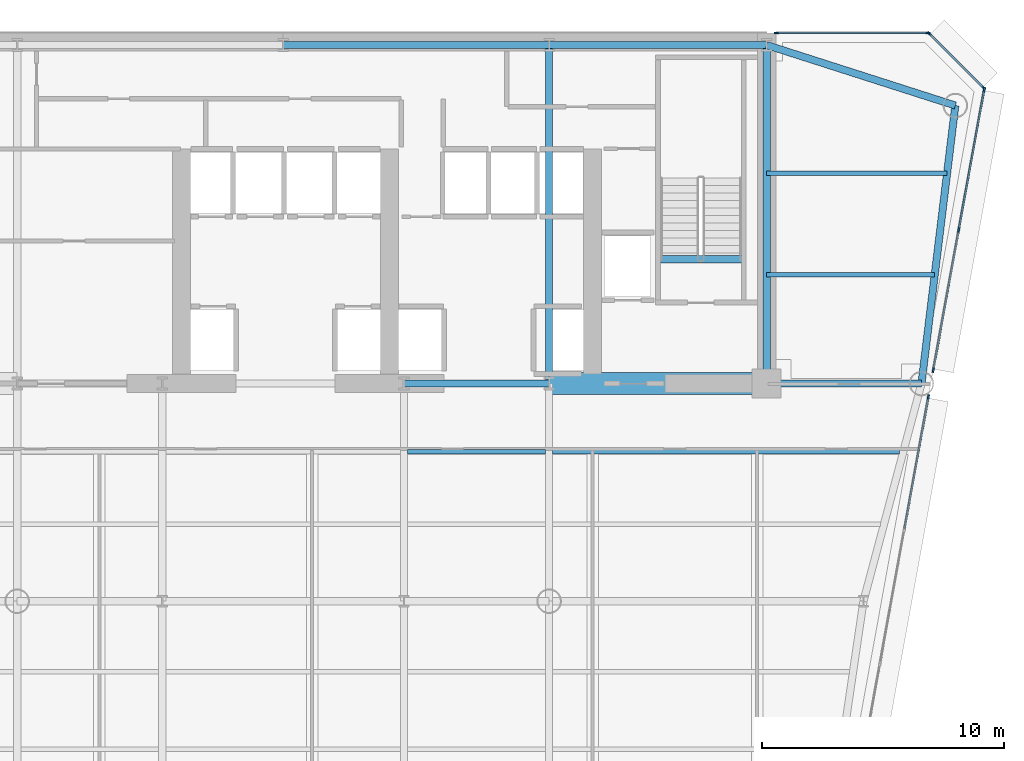
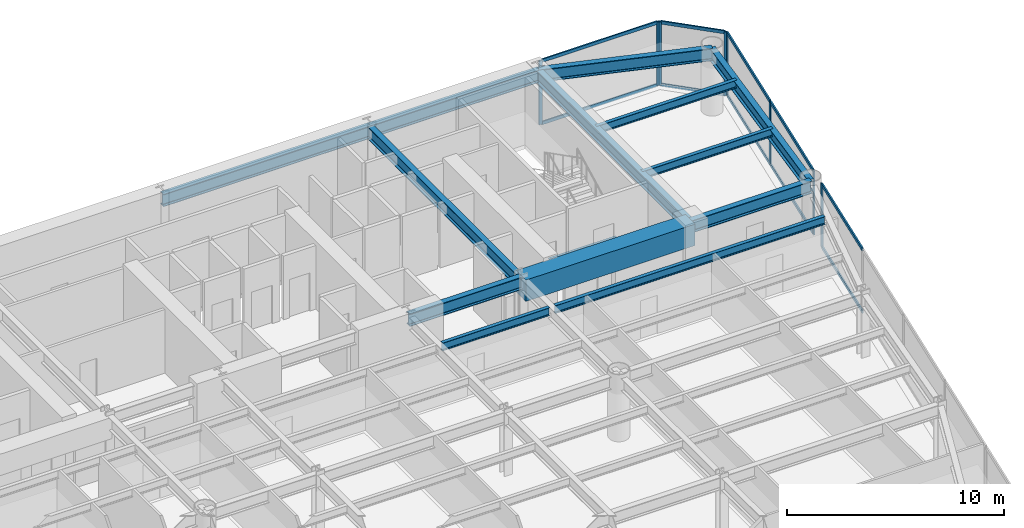
# One storey, part 6 of 14: 18 members, 14 beams, 4 elements without a shape of their own.
"""IFC4 building model written with IfcOpenShell, lengths in metres."""

from ifc_helpers import new_model, si_unit, direction, frame, origin, origin_2d, place, context, subcontext, project, spatial, rectangle, i_section, extrude, source, transform, mapped, material, layer, layer_set, material_profile, profile_set, type_object, element, aggregate, save


model = new_model("IFC4")

# Units and contexts
model_context = context("Model", 3, precision=1e-05, world=origin(), true_north=direction((0.0, 1.0)))
body_context = subcontext(model_context, "Body", "Model", "MODEL_VIEW")
ifc_project = project(units=[si_unit("LENGTHUNIT", "METRE"), si_unit("AREAUNIT", "SQUARE_METRE"), si_unit("VOLUMEUNIT", "CUBIC_METRE"), si_unit("PLANEANGLEUNIT", "RADIAN"), si_unit("MASSUNIT", "GRAM", prefix="KILO")], contexts=[model_context])

# Site, building, storey
site_placement = place(None, origin())
site = spatial("IfcSite", under=ifc_project, at=site_placement, CompositionType="ELEMENT")
building_placement = place(site_placement, origin())
building = spatial("IfcBuilding", under=site, at=building_placement, Name="Vaeldorn Concourse Tower", CompositionType="ELEMENT")
storey_placement = place(building_placement, frame((0.0, 0.0, 137.60009765625)))
storey = spatial("IfcBuildingStorey", under=building, at=storey_placement, Name="L35", CompositionType="ELEMENT", Elevation=137.60009765625)

# Beams
ifc_material_1 = material(Name="Concrete C60/75", Category="concrete")
ifc_material_profile_1 = material_profile(ifc_material_1, rectangle(XDim=0.89990234375, YDim=1.199951171875, at=origin_2d()), Name="RC 900x1200")
ifc_profile_set_1 = profile_set([ifc_material_profile_1], Name="Concrete C60/75")
beam_type_1 = type_object("IfcBeamType", Name="BM-CB-RC900", PredefinedType="BEAM", material=ifc_profile_set_1)
shared_shape_1 = source(origin(), body_context, "Body", "SweptSolid", [
    extrude(rectangle(XDim=0.89990234375, YDim=1.199951171875, at=origin_2d()), origin(), (0.0, 0.0, 1.0), 9.0),
])
beam_1_placement = place(storey_placement, frame((45.0, 36.5, 2.97998046875), z_axis=(1.0, 0.0, 0.0), x_axis=(0.0, 1.0, 0.0)))
element("IfcBeam", 1, at=beam_1_placement, inside=storey, type_object=beam_type_1, Name="Core Coupling Beam L35-2", PredefinedType="BEAM", context=body_context, shape_type="MappedRepresentation", body=[
    mapped(shared_shape_1, transform((0.0, 0.0, 0.0), scale=1.0)),
])
ifc_material_2 = material(Name="Steel S355", Category="steel")
ifc_material_profile_2 = material_profile(ifc_material_2, i_section(OverallWidth=0.300048828125, OverallDepth=0.340087890625, WebThickness=0.011962890625, FlangeThickness=0.021484375, FilletRadius=0.027099609375, at=origin_2d()), Name="HEB 340")
ifc_profile_set_2 = profile_set([ifc_material_profile_2], Name="Steel S355")
beam_type_2 = type_object("IfcBeamType", Name="BM-ST-TRIM", PredefinedType="BEAM", material=ifc_profile_set_2)
shared_shape_2 = source(origin(), body_context, "Body", "SweptSolid", [
    extrude(i_section(OverallWidth=0.300048828125, OverallDepth=0.340087890625, WebThickness=0.011962890625, FlangeThickness=0.021484375, FilletRadius=0.027099609375, at=origin_2d()), origin(), (0.0, 0.0, 1.0), 3.590087890625),
])
beam_2_placement = place(storey_placement, frame((49.47998046875, 41.639892578125, -0.39013671875), z_axis=(1.0, 0.0, 0.0), x_axis=(0.0, 1.0, 0.0)))
element("IfcBeam", 2, at=beam_2_placement, inside=storey, type_object=beam_type_2, Name="Stair Landing Trimmer Beam ST-2 L35", PredefinedType="BEAM", context=body_context, shape_type="MappedRepresentation", body=[
    mapped(shared_shape_2, transform((0.0, 0.0, 0.0), scale=1.0)),
])
ifc_material_profile_3 = material_profile(ifc_material_2, i_section(OverallWidth=0.300048828125, OverallDepth=0.699951171875, WebThickness=0.01708984375, FlangeThickness=0.031982421875, FilletRadius=0.027099609375, at=origin_2d()), Name="HEB 700")
ifc_profile_set_3 = profile_set([ifc_material_profile_3], Name="Steel S355")
beam_type_3 = type_object("IfcBeamType", Name="BM-PG-HEB700", PredefinedType="BEAM", material=ifc_profile_set_3)
shared_shape_3 = source(origin(), body_context, "Body", "SweptSolid", [
    extrude(i_section(OverallWidth=0.300048828125, OverallDepth=0.699951171875, WebThickness=0.01708984375, FlangeThickness=0.031982421875, FilletRadius=0.027099609375, at=origin_2d()), origin(), (0.0, 0.0, 1.0), 6.0),
])
beam_3_placement = place(storey_placement, frame((39.0, 36.5, 3.22998046875), z_axis=(1.0, 0.0, 0.0), x_axis=(0.0, 1.0, 0.0)))
element("IfcBeam", 3, at=beam_3_placement, inside=storey, type_object=beam_type_3, Name="Beam BM-L35-C-FC4-C-FC5", PredefinedType="BEAM", context=body_context, shape_type="MappedRepresentation", body=[
    mapped(shared_shape_3, transform((0.0, 0.0, 0.0), scale=1.0)),
])
shared_shape_4 = source(origin(), body_context, "Body", "SweptSolid", [
    extrude(i_section(OverallWidth=0.300048828125, OverallDepth=0.699951171875, WebThickness=0.01708984375, FlangeThickness=0.031982421875, FilletRadius=0.027099609375, at=origin_2d()), origin(), (0.0, 0.0, 1.0), 9.0),
])
beam_4_placement = place(storey_placement, frame((45.0, 50.5, 3.22998046875), z_axis=(1.0, 0.0, 0.0), x_axis=(0.0, 1.0, 0.0)))
element("IfcBeam", 4, at=beam_4_placement, inside=storey, type_object=beam_type_3, Name="Beam BM-L35-C-HC4-C-HC5", PredefinedType="BEAM", context=body_context, shape_type="MappedRepresentation", body=[
    mapped(shared_shape_4, transform((0.0, 0.0, 0.0), scale=1.0)),
])
shared_shape_5 = source(origin(), body_context, "Body", "SweptSolid", [
    extrude(i_section(OverallWidth=0.300048828125, OverallDepth=0.699951171875, WebThickness=0.01708984375, FlangeThickness=0.031982421875, FilletRadius=0.027099609375, at=origin_2d()), origin(), (0.0, 0.0, 1.0), 11.0),
])
beam_5_placement = place(storey_placement, frame((34.0, 50.5, 3.22998046875), z_axis=(1.0, 0.0, 0.0), x_axis=(0.0, 1.0, 0.0)))
element("IfcBeam", 5, at=beam_5_placement, inside=storey, type_object=beam_type_3, Name="Beam BM-L35-C-HC3-C-HC4", PredefinedType="BEAM", context=body_context, shape_type="MappedRepresentation", body=[
    mapped(shared_shape_5, transform((0.0, 0.0, 0.0), scale=1.0)),
])
shared_shape_6 = source(origin(), body_context, "Body", "SweptSolid", [
    extrude(i_section(OverallWidth=0.300048828125, OverallDepth=0.699951171875, WebThickness=0.01708984375, FlangeThickness=0.031982421875, FilletRadius=0.027099609375, at=origin_2d()), origin(), (0.0, 0.0, 1.0), 14.0),
])
for number, where, z_axis, x_axis, name in (
    (6, (45.0, 36.5, 3.22998046875), (0.0, 1.0, 0.0), (-1.0, 0.0, 0.0), "Beam BM-L35-C-FC5-C-HC4"),
    (7, (54.0, 36.5, 3.22998046875), (0.0, 1.0, 0.0), (-1.0, 0.0, 0.0), "Beam BM-L35-C-FC6-C-HC5"),
):
    element("IfcBeam", number, at=place(storey_placement, frame(where, z_axis=z_axis, x_axis=x_axis)), inside=storey, type_object=beam_type_3, Name=name, PredefinedType="BEAM", context=body_context, shape_type="MappedRepresentation", body=[
        mapped(shared_shape_6, transform((0.0, 0.0, 0.0), scale=1.0)),
    ])
shared_shape_7 = source(origin(), body_context, "Body", "SweptSolid", [
    extrude(i_section(OverallWidth=0.300048828125, OverallDepth=0.699951171875, WebThickness=0.01708984375, FlangeThickness=0.031982421875, FilletRadius=0.027099609375, at=origin_2d()), origin(), (0.0, 0.0, 1.0), 8.19091796875),
])
beam_6_placement = place(storey_placement, frame((54.0, 50.5, 3.22998046875), z_axis=(0.952282843383, -0.305216949396, 0.0), x_axis=(0.305216949396, 0.952282843383, 0.0)))
element("IfcBeam", 8, at=beam_6_placement, inside=storey, type_object=beam_type_3, Name="Beam BM-L35-C-HC5-C-NE1", PredefinedType="BEAM", context=body_context, shape_type="MappedRepresentation", body=[
    mapped(shared_shape_7, transform((0.0, 0.0, 0.0), scale=1.0)),
])
shared_shape_8 = source(origin(), body_context, "Body", "SweptSolid", [
    extrude(i_section(OverallWidth=0.300048828125, OverallDepth=0.699951171875, WebThickness=0.01708984375, FlangeThickness=0.031982421875, FilletRadius=0.027099609375, at=origin_2d()), origin(), (0.0, 0.0, 1.0), 11.5849609375),
])
beam_7_placement = place(storey_placement, frame((61.800048828125, 48.0, 3.22998046875), z_axis=(-0.120859382899, -0.992669637677, 0.0), x_axis=(0.992669637677, -0.120859382899, 0.0)))
element("IfcBeam", 9, at=beam_7_placement, inside=storey, type_object=beam_type_3, Name="Beam BM-L35-C-NE1-C-NE2", PredefinedType="BEAM", context=body_context, shape_type="MappedRepresentation", body=[
    mapped(shared_shape_8, transform((0.0, 0.0, 0.0), scale=1.0)),
])
shared_shape_9 = source(origin(), body_context, "Body", "SweptSolid", [
    extrude(i_section(OverallWidth=0.300048828125, OverallDepth=0.699951171875, WebThickness=0.01708984375, FlangeThickness=0.031982421875, FilletRadius=0.027099609375, at=origin_2d()), origin(), (0.0, 0.0, 1.0), 6.39990234375),
])
beam_8_placement = place(storey_placement, frame((54.0, 36.5, 3.22998046875), z_axis=(1.0, 0.0, 0.0), x_axis=(0.0, 1.0, 0.0)))
element("IfcBeam", 10, at=beam_8_placement, inside=storey, type_object=beam_type_3, Name="Beam BM-L35-C-FC6-C-NE2", PredefinedType="BEAM", context=body_context, shape_type="MappedRepresentation", body=[
    mapped(shared_shape_9, transform((0.0, 0.0, 0.0), scale=1.0)),
])
ifc_material_profile_4 = material_profile(ifc_material_2, i_section(OverallWidth=0.18994140625, OverallDepth=0.449951171875, WebThickness=0.009521484375, FlangeThickness=0.0146484375, FilletRadius=0.02099609375, at=origin_2d()), Name="IPE 450")
ifc_profile_set_4 = profile_set([ifc_material_profile_4], Name="Steel S355")
beam_type_4 = type_object("IfcBeamType", Name="BM-JS-IPE450", PredefinedType="JOIST", material=ifc_profile_set_4)
shared_shape_10 = source(origin(), body_context, "Body", "SweptSolid", [
    extrude(i_section(OverallWidth=0.18994140625, OverallDepth=0.449951171875, WebThickness=0.009521484375, FlangeThickness=0.0146484375, FilletRadius=0.02099609375, at=origin_2d()), origin(), (0.0, 0.0, 1.0), 5.7001953125),
])
beam_9_placement = place(storey_placement, frame((39.14990234375, 33.679931640625, 3.35498046875), z_axis=(1.0, 0.0, 0.0), x_axis=(0.0, 1.0, 0.0)))
element("IfcBeam", 11, at=beam_9_placement, inside=storey, type_object=beam_type_4, Name="Beam JS-L35-E2-336", PredefinedType="JOIST", context=body_context, shape_type="MappedRepresentation", body=[
    mapped(shared_shape_10, transform((0.0, 0.0, 0.0), scale=1.0)),
])
shared_shape_11 = source(origin(), body_context, "Body", "SweptSolid", [
    extrude(i_section(OverallWidth=0.18994140625, OverallDepth=0.449951171875, WebThickness=0.009521484375, FlangeThickness=0.0146484375, FilletRadius=0.02099609375, at=origin_2d()), origin(), (0.0, 0.0, 1.0), 6.94775390625),
])
beam_10_placement = place(storey_placement, frame((54.0, 41.0, 3.35498046875), z_axis=(1.0, 0.0, 0.0), x_axis=(0.0, 1.0, 0.0)))
element("IfcBeam", 12, at=beam_10_placement, inside=storey, type_object=beam_type_4, Name="Beam JS-L35-NE-410", PredefinedType="JOIST", context=body_context, shape_type="MappedRepresentation", body=[
    mapped(shared_shape_11, transform((0.0, 0.0, 0.0), scale=1.0)),
])
shared_shape_12 = source(origin(), body_context, "Body", "SweptSolid", [
    extrude(i_section(OverallWidth=0.18994140625, OverallDepth=0.449951171875, WebThickness=0.009521484375, FlangeThickness=0.0146484375, FilletRadius=0.02099609375, at=origin_2d()), origin(), (0.0, 0.0, 1.0), 7.458984375),
])
beam_11_placement = place(storey_placement, frame((54.0, 45.199951171875, 3.35498046875), z_axis=(1.0, 0.0, 0.0), x_axis=(0.0, 1.0, 0.0)))
element("IfcBeam", 13, at=beam_11_placement, inside=storey, type_object=beam_type_4, Name="Beam JS-L35-NE-452", PredefinedType="JOIST", context=body_context, shape_type="MappedRepresentation", body=[
    mapped(shared_shape_12, transform((0.0, 0.0, 0.0), scale=1.0)),
])
shared_shape_13 = source(origin(), body_context, "Body", "SweptSolid", [
    extrude(i_section(OverallWidth=0.18994140625, OverallDepth=0.449951171875, WebThickness=0.009521484375, FlangeThickness=0.0146484375, FilletRadius=0.02099609375, at=origin_2d()), origin(), (0.0, 0.0, 1.0), 14.34814453125),
])
beam_12_placement = place(storey_placement, frame((45.14990234375, 33.679931640625, 3.35498046875), z_axis=(1.0, 0.0, 0.0), x_axis=(0.0, 1.0, 0.0)))
element("IfcBeam", 14, at=beam_12_placement, inside=storey, type_object=beam_type_4, Name="Beam JS-L35-E1-336", PredefinedType="JOIST", context=body_context, shape_type="MappedRepresentation", body=[
    mapped(shared_shape_13, transform((0.0, 0.0, 0.0), scale=1.0)),
])

# Curtain wall, members
ifc_material_3 = material(Name="Anodised Bronze Aluminium", Category="aluminium")
ifc_layer = layer(ifc_material_3, 0.199951171875)
ifc_layer_set = layer_set([ifc_layer], Name="Anodised Bronze Aluminium")
curtain_wall_type = type_object("IfcCurtainWallType", Name="CW-SYS-02", PredefinedType="NOTDEFINED", material=ifc_layer_set)
curtain_wall_1_placement = place(storey_placement, origin())
curtain_wall_1 = element("IfcCurtainWall", 15, at=curtain_wall_1_placement, inside=storey, type_object=curtain_wall_type, Name="Unitised Curtain Wall CW-L35-E08-1", PredefinedType="NOTDEFINED")
ifc_material_profile_5 = material_profile(ifc_material_3, rectangle(XDim=0.074951171875, YDim=0.179931640625, at=origin_2d()), Name="CWT 75x180")
ifc_profile_set_5 = profile_set([ifc_material_profile_5], Name="Anodised Bronze Aluminium")
member_type_1 = type_object("IfcMemberType", Name="CWT-BRONZE-180", PredefinedType="USERDEFINED", material=ifc_profile_set_5)
shared_shape_14 = source(origin(), body_context, "Body", "SweptSolid", [
    extrude(rectangle(XDim=0.074951171875, YDim=0.179931640625, at=origin_2d()), origin(), (0.0, 0.0, 1.0), 3.10302734375),
])
member_1_placement = place(storey_placement, frame((62.947021484375, 48.7529296875, 0.037353515625), z_axis=(-0.707106781187, 0.707106781187, 0.0), x_axis=(-0.707106781187, -0.707106781187, 0.0)))
member_1 = element("IfcMember", 16, at=member_1_placement, type_object=member_type_1, Name="CW-02 transom 1.1", ObjectType="TRANSOM", PredefinedType="USERDEFINED", context=body_context, shape_type="MappedRepresentation", body=[
    mapped(shared_shape_14, transform((0.0, 0.0, 0.0), scale=1.0)),
])
member_2_placement = place(storey_placement, frame((62.947021484375, 48.7529296875, 3.54248046875), z_axis=(-0.707106781187, 0.707106781187, 0.0), x_axis=(-0.707106781187, -0.707106781187, 0.0)))
member_2 = element("IfcMember", 17, at=member_2_placement, type_object=member_type_1, Name="CW-02 transom 1.2", ObjectType="TRANSOM", PredefinedType="USERDEFINED", context=body_context, shape_type="MappedRepresentation", body=[
    mapped(shared_shape_14, transform((0.0, 0.0, 0.0), scale=1.0)),
])

curtain_wall_2_placement = place(storey_placement, origin())
curtain_wall_2 = element("IfcCurtainWall", 18, at=curtain_wall_2_placement, inside=storey, type_object=curtain_wall_type, Name="Unitised Curtain Wall CW-L35-E09-1", PredefinedType="NOTDEFINED")
shared_shape_15 = source(origin(), body_context, "Body", "SweptSolid", [
    extrude(rectangle(XDim=0.074951171875, YDim=0.179931640625, at=origin_2d()), origin(), (0.0, 0.0, 1.0), 6.179931640625),
])
member_3_placement = place(storey_placement, frame((60.625, 51.0, 0.037353515625), z_axis=(-1.0, 0.0, 0.0), x_axis=(0.0, -1.0, 0.0)))
member_3 = element("IfcMember", 19, at=member_3_placement, type_object=member_type_1, Name="CW-02 transom 1.1", ObjectType="TRANSOM", PredefinedType="USERDEFINED", context=body_context, shape_type="MappedRepresentation", body=[
    mapped(shared_shape_15, transform((0.0, 0.0, 0.0), scale=1.0)),
])
member_4_placement = place(storey_placement, frame((60.625, 51.0, 3.54248046875), z_axis=(-1.0, 0.0, 0.0), x_axis=(0.0, -1.0, 0.0)))
member_4 = element("IfcMember", 20, at=member_4_placement, type_object=member_type_1, Name="CW-02 transom 1.2", ObjectType="TRANSOM", PredefinedType="USERDEFINED", context=body_context, shape_type="MappedRepresentation", body=[
    mapped(shared_shape_15, transform((0.0, 0.0, 0.0), scale=1.0)),
])

# Curtain wall, member
curtain_wall_3_placement = place(storey_placement, origin())
curtain_wall_3 = element("IfcCurtainWall", 21, at=curtain_wall_3_placement, inside=storey, type_object=curtain_wall_type, Name="Unitised Curtain Wall CW-L35-E07-1", PredefinedType="NOTDEFINED")
ifc_material_profile_6 = material_profile(ifc_material_3, rectangle(XDim=0.074951171875, YDim=0.18994140625, at=origin_2d()), Name="CWM 75x190")
ifc_profile_set_6 = profile_set([ifc_material_profile_6], Name="Anodised Bronze Aluminium")
member_type_2 = type_object("IfcMemberType", Name="CWM-BRONZE-190", PredefinedType="MULLION", material=ifc_profile_set_6)
shared_shape_16 = source(origin(), body_context, "Body", "SweptSolid", [
    extrude(rectangle(XDim=0.074951171875, YDim=0.18994140625, at=origin_2d()), origin(), (0.0, 0.0, 1.0), 3.579833984375),
])
member_5_placement = place(storey_placement, frame((60.6845703125, 35.945068359375, 0.0), z_axis=(0.0, 0.0, 1.0), x_axis=(-0.983920223109, 0.178608495197, 0.0)))
member_5 = element("IfcMember", 22, at=member_5_placement, type_object=member_type_2, Name="CW-02 mullion 7", PredefinedType="MULLION", context=body_context, shape_type="MappedRepresentation", body=[
    mapped(shared_shape_16, transform((0.0, 0.0, 0.0), scale=1.0)),
])

# Curtain wall, members
curtain_wall_4_placement = place(storey_placement, origin())
curtain_wall_4 = element("IfcCurtainWall", 23, at=curtain_wall_4_placement, inside=storey, type_object=curtain_wall_type, Name="Unitised Curtain Wall CW-L35-E07-2", PredefinedType="NOTDEFINED")
member_6_placement = place(storey_placement, frame((60.885986328125, 37.054931640625, 0.0), z_axis=(0.0, 0.0, 1.0), x_axis=(-0.983920271487, 0.178608228695, 0.0)))
member_6 = element("IfcMember", 24, at=member_6_placement, type_object=member_type_2, Name="CW-02 mullion 1", PredefinedType="MULLION", context=body_context, shape_type="MappedRepresentation", body=[
    mapped(shared_shape_16, transform((0.0, 0.0, 0.0), scale=1.0)),
])
member_7_placement = place(storey_placement, frame((61.939697265625, 42.85888671875, 0.0), z_axis=(0.0, 0.0, 1.0), x_axis=(-0.983920271487, 0.178608228695, 0.0)))
member_7 = element("IfcMember", 25, at=member_7_placement, type_object=member_type_2, Name="CW-02 mullion 2", PredefinedType="MULLION", context=body_context, shape_type="MappedRepresentation", body=[
    mapped(shared_shape_16, transform((0.0, 0.0, 0.0), scale=1.0)),
])
member_8_placement = place(storey_placement, frame((62.993408203125, 48.6630859375, 0.0), z_axis=(0.0, 0.0, 1.0), x_axis=(-0.983920271487, 0.178608228695, 0.0)))
member_8 = element("IfcMember", 26, at=member_8_placement, type_object=member_type_2, Name="CW-02 mullion 3", PredefinedType="MULLION", context=body_context, shape_type="MappedRepresentation", body=[
    mapped(shared_shape_16, transform((0.0, 0.0, 0.0), scale=1.0)),
])

# Member
member_9_placement = place(storey_placement, frame((62.973388671875, 48.7265625, 0.0), z_axis=(0.0, 0.0, 1.0), x_axis=(-0.707106781187, -0.707106781187, 0.0)))
member_9 = element("IfcMember", 27, at=member_9_placement, type_object=member_type_2, Name="CW-02 mullion 1", PredefinedType="MULLION", context=body_context, shape_type="MappedRepresentation", body=[
    mapped(shared_shape_16, transform((0.0, 0.0, 0.0), scale=1.0)),
])

member_10_placement = place(storey_placement, frame((60.7265625, 50.973388671875, 0.0), z_axis=(0.0, 0.0, 1.0), x_axis=(-0.707106781187, -0.707106781187, 0.0)))
member_10 = element("IfcMember", 28, at=member_10_placement, type_object=member_type_2, Name="CW-02 mullion 2", PredefinedType="MULLION", context=body_context, shape_type="MappedRepresentation", body=[
    mapped(shared_shape_16, transform((0.0, 0.0, 0.0), scale=1.0)),
])

aggregate(curtain_wall_1, [member_9, member_10, member_1, member_2])

member_11_placement = place(storey_placement, frame((60.66259765625, 51.0, 0.0), z_axis=(0.0, 0.0, 1.0), x_axis=(0.0, -1.0, 0.0)))
member_11 = element("IfcMember", 29, at=member_11_placement, type_object=member_type_2, Name="CW-02 mullion 1", PredefinedType="MULLION", context=body_context, shape_type="MappedRepresentation", body=[
    mapped(shared_shape_16, transform((0.0, 0.0, 0.0), scale=1.0)),
])

member_12_placement = place(storey_placement, frame((54.407470703125, 51.0, 0.0), z_axis=(0.0, 0.0, 1.0), x_axis=(0.0, -1.0, 0.0)))
member_12 = element("IfcMember", 30, at=member_12_placement, type_object=member_type_2, Name="CW-02 mullion 2", PredefinedType="MULLION", context=body_context, shape_type="MappedRepresentation", body=[
    mapped(shared_shape_16, transform((0.0, 0.0, 0.0), scale=1.0)),
])

aggregate(curtain_wall_2, [member_11, member_12, member_3, member_4])

shared_shape_17 = source(origin(), body_context, "Body", "SweptSolid", [
    extrude(rectangle(XDim=0.074951171875, YDim=0.179931640625, at=origin_2d()), origin(), (0.0, 0.0, 1.0), 5.823974609375),
])
member_13_placement = place(storey_placement, frame((60.892822265625, 37.091796875, 0.037353515625), z_axis=(0.178623512193, 0.983917496994, 0.0), x_axis=(-0.983917496994, 0.178623512193, 0.0)))
member_13 = element("IfcMember", 31, at=member_13_placement, type_object=member_type_1, Name="CW-02 transom 1.1", ObjectType="TRANSOM", PredefinedType="USERDEFINED", context=body_context, shape_type="MappedRepresentation", body=[
    mapped(shared_shape_17, transform((0.0, 0.0, 0.0), scale=1.0)),
])

member_14_placement = place(storey_placement, frame((60.892822265625, 37.091796875, 3.54248046875), z_axis=(0.178623512193, 0.983917496994, 0.0), x_axis=(-0.983917496994, 0.178623512193, 0.0)))
member_14 = element("IfcMember", 32, at=member_14_placement, type_object=member_type_1, Name="CW-02 transom 1.2", ObjectType="TRANSOM", PredefinedType="USERDEFINED", context=body_context, shape_type="MappedRepresentation", body=[
    mapped(shared_shape_17, transform((0.0, 0.0, 0.0), scale=1.0)),
])

member_15_placement = place(storey_placement, frame((61.9462890625, 42.89599609375, 0.037353515625), z_axis=(0.178623512193, 0.983917496994, 0.0), x_axis=(-0.983917496994, 0.178623512193, 0.0)))
member_15 = element("IfcMember", 33, at=member_15_placement, type_object=member_type_1, Name="CW-02 transom 2.1", ObjectType="TRANSOM", PredefinedType="USERDEFINED", context=body_context, shape_type="MappedRepresentation", body=[
    mapped(shared_shape_17, transform((0.0, 0.0, 0.0), scale=1.0)),
])

member_16_placement = place(storey_placement, frame((61.9462890625, 42.89599609375, 3.54248046875), z_axis=(0.178623512193, 0.983917496994, 0.0), x_axis=(-0.983917496994, 0.178623512193, 0.0)))
member_16 = element("IfcMember", 34, at=member_16_placement, type_object=member_type_1, Name="CW-02 transom 2.2", ObjectType="TRANSOM", PredefinedType="USERDEFINED", context=body_context, shape_type="MappedRepresentation", body=[
    mapped(shared_shape_17, transform((0.0, 0.0, 0.0), scale=1.0)),
])

aggregate(curtain_wall_4, [member_6, member_7, member_8, member_13, member_14, member_15, member_16])

shared_shape_18 = source(origin(), body_context, "Body", "SweptSolid", [
    extrude(rectangle(XDim=0.074951171875, YDim=0.179931640625, at=origin_2d()), origin(), (0.0, 0.0, 1.0), 5.511962890625),
])
member_17_placement = place(storey_placement, frame((59.693359375, 30.48486328125, 0.037353515625), z_axis=(0.178632078565, 0.98391594179, 0.0), x_axis=(-0.98391594179, 0.178632078565, 0.0)))
member_17 = element("IfcMember", 35, at=member_17_placement, type_object=member_type_1, Name="CW-02 transom 6.1", ObjectType="TRANSOM", PredefinedType="USERDEFINED", context=body_context, shape_type="MappedRepresentation", body=[
    mapped(shared_shape_18, transform((0.0, 0.0, 0.0), scale=1.0)),
])

member_18_placement = place(storey_placement, frame((59.693359375, 30.48486328125, 3.54248046875), z_axis=(0.178632078565, 0.98391594179, 0.0), x_axis=(-0.98391594179, 0.178632078565, 0.0)))
member_18 = element("IfcMember", 36, at=member_18_placement, type_object=member_type_1, Name="CW-02 transom 6.2", ObjectType="TRANSOM", PredefinedType="USERDEFINED", context=body_context, shape_type="MappedRepresentation", body=[
    mapped(shared_shape_18, transform((0.0, 0.0, 0.0), scale=1.0)),
])

aggregate(curtain_wall_3, [member_5, member_17, member_18])

save(model, "model.ifc")
